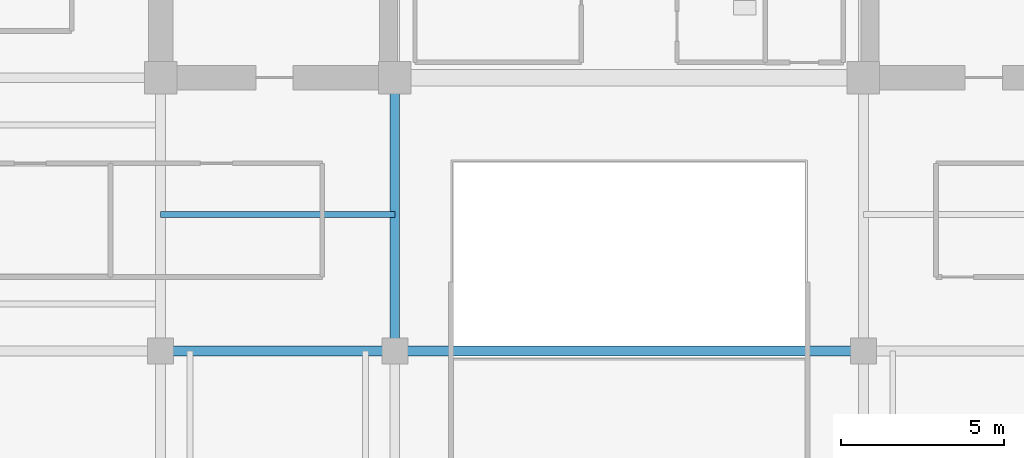
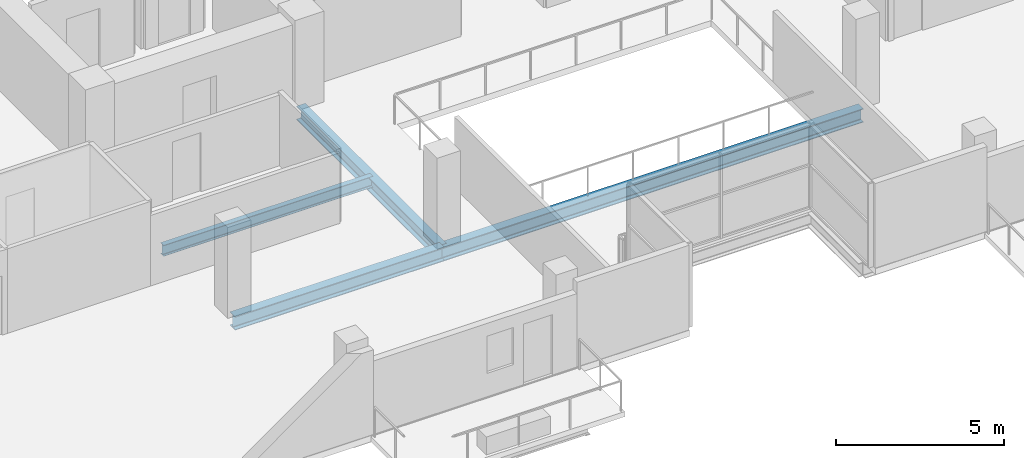
# One storey, part 3 of 21: 4 beams.
"""IFC4 building model written with IfcOpenShell, lengths in metres."""

from ifc_helpers import new_model, si_unit, direction, frame, origin, origin_2d, place, context, subcontext, project, spatial, i_section, extrude, material, material_profile, profile_set, type_object, element, save


model = new_model("IFC4")

# Units and contexts
model_context = context("Model", 3, precision=1e-05, world=origin(), true_north=direction((0.0, 1.0)))
body_context = subcontext(model_context, "Body", "Model", "MODEL_VIEW")
ifc_project = project(units=[si_unit("LENGTHUNIT", "METRE"), si_unit("AREAUNIT", "SQUARE_METRE"), si_unit("VOLUMEUNIT", "CUBIC_METRE"), si_unit("PLANEANGLEUNIT", "RADIAN"), si_unit("MASSUNIT", "GRAM", prefix="KILO")], contexts=[model_context])

# Site, building, storey
site_placement = place(None, origin())
site = spatial("IfcSite", under=ifc_project, at=site_placement, CompositionType="ELEMENT")
building_placement = place(site_placement, origin())
building = spatial("IfcBuilding", under=site, at=building_placement, Name="Zarnakvel Exchange Tower", CompositionType="ELEMENT")
storey_placement = place(building_placement, frame((0.0, 0.0, 166.0)))
storey = spatial("IfcBuildingStorey", under=building, at=storey_placement, Name="L46", CompositionType="ELEMENT", Elevation=166.0)

# Beams
ifc_material = material(Name="Steel S355", Category="steel")
ifc_material_profile_1 = material_profile(ifc_material, i_section(OverallWidth=0.179931640625, OverallDepth=0.39990234375, WebThickness=0.008544921875, FlangeThickness=0.013427734375, FilletRadius=0.02099609375, at=origin_2d()))
ifc_profile_set_1 = profile_set([ifc_material_profile_1], Name="Steel S355")
beam_type_1 = type_object("IfcBeamType", Name="B-06", PredefinedType="JOIST", material=ifc_profile_set_1)
beam_1_placement = place(storey_placement, frame((-14.39990234375, -5.39990234375, -0.425048828125), z_axis=(1.0, 0.0, 0.0), x_axis=(0.0, 1.0, 0.0)))
element("IfcBeam", 1, at=beam_1_placement, inside=storey, type_object=beam_type_1, Name="L46 Composite Floor Secondary Joist", PredefinedType="JOIST", context=body_context, shape_type="SweptSolid", body=[
    extrude(i_section(OverallWidth=0.179931640625, OverallDepth=0.39990234375, WebThickness=0.008544921875, FlangeThickness=0.013427734375, FilletRadius=0.02099609375, at=origin_2d()), origin(), (0.0, 0.0, 1.0), 7.199951171875),
])
ifc_material_profile_2 = material_profile(ifc_material, i_section(OverallWidth=0.300048828125, OverallDepth=0.5, WebThickness=0.014404296875, FlangeThickness=0.028076171875, FilletRadius=0.027099609375, at=origin_2d()))
ifc_profile_set_2 = profile_set([ifc_material_profile_2], Name="Steel S355")
beam_type_2 = type_object("IfcBeamType", Name="G-06", PredefinedType="BEAM", material=ifc_profile_set_2)
beam_2_placement = place(storey_placement, frame((-14.39990234375, -9.60009765625, -0.47509765625), z_axis=(1.0, 0.0, 0.0), x_axis=(0.0, 1.0, 0.0)))
element("IfcBeam", 2, at=beam_2_placement, inside=storey, type_object=beam_type_2, Name="L46 Tower E-W Frame Beam", PredefinedType="BEAM", context=body_context, shape_type="SweptSolid", body=[
    extrude(i_section(OverallWidth=0.300048828125, OverallDepth=0.5, WebThickness=0.014404296875, FlangeThickness=0.028076171875, FilletRadius=0.027099609375, at=origin_2d()), origin(), (0.0, 0.0, 1.0), 7.199951171875),
])
beam_3_placement = place(storey_placement, frame((-7.199951171875, -9.60009765625, -0.47509765625), z_axis=(1.0, 0.0, 0.0), x_axis=(0.0, 1.0, 0.0)))
element("IfcBeam", 3, at=beam_3_placement, inside=storey, type_object=beam_type_2, Name="L46 Tower E-W Frame Beam", PredefinedType="BEAM", context=body_context, shape_type="SweptSolid", body=[
    extrude(i_section(OverallWidth=0.300048828125, OverallDepth=0.5, WebThickness=0.014404296875, FlangeThickness=0.028076171875, FilletRadius=0.027099609375, at=origin_2d()), origin(), (0.0, 0.0, 1.0), 14.39990234375),
])
beam_4_placement = place(storey_placement, frame((-7.199951171875, -9.60009765625, -0.47509765625), z_axis=(0.0, 1.0, 0.0), x_axis=(-1.0, 0.0, 0.0)))
element("IfcBeam", 4, at=beam_4_placement, inside=storey, type_object=beam_type_2, Name="L46 Tower N-S Frame Beam", PredefinedType="BEAM", context=body_context, shape_type="SweptSolid", body=[
    extrude(i_section(OverallWidth=0.300048828125, OverallDepth=0.5, WebThickness=0.014404296875, FlangeThickness=0.028076171875, FilletRadius=0.027099609375, at=origin_2d()), origin(), (0.0, 0.0, 1.0), 8.400146484375),
])

save(model, "model.ifc")
